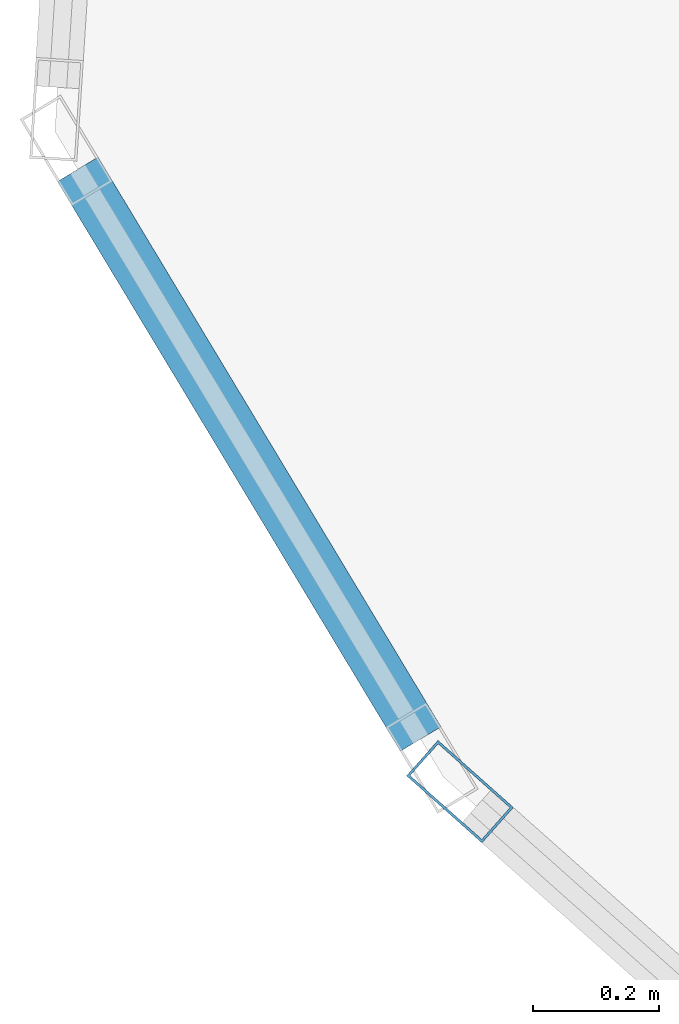
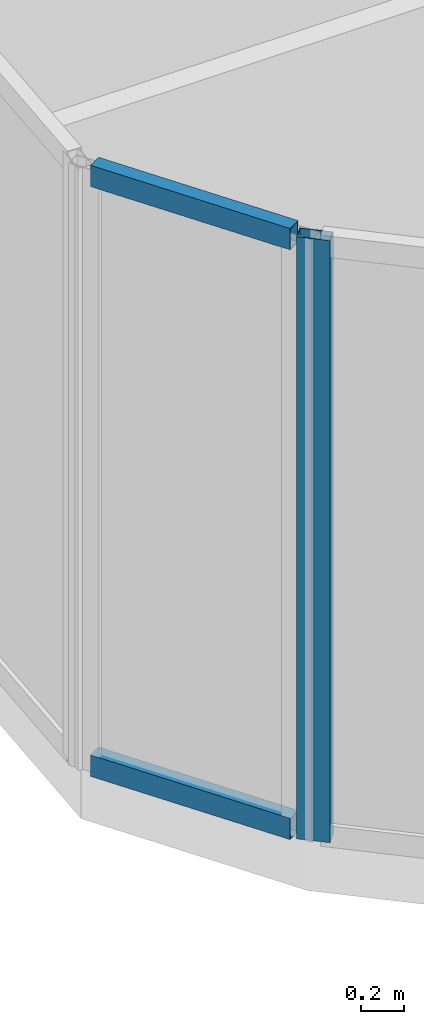
# One storey, part 4 of 27: 3 members, 2 elements without a shape of their own.
"""IFC4 building model written with IfcOpenShell, lengths in metres."""

from ifc_helpers import new_model, si_unit, direction, frame, origin, origin_2d, place, context, subcontext, project, spatial, hollow_rectangle, extrude, material, layer, layer_set, material_profile, profile_set, type_object, element, aggregate, save


model = new_model("IFC4")

# Units and contexts
model_context = context("Model", 3, precision=1e-05, world=origin(), true_north=direction((0.0, 1.0)))
body_context = subcontext(model_context, "Body", "Model", "MODEL_VIEW")
ifc_project = project(units=[si_unit("LENGTHUNIT", "METRE"), si_unit("AREAUNIT", "SQUARE_METRE"), si_unit("VOLUMEUNIT", "CUBIC_METRE"), si_unit("PLANEANGLEUNIT", "RADIAN"), si_unit("MASSUNIT", "GRAM", prefix="KILO")], contexts=[model_context])

# Site, building, storey
site_placement = place(None, origin())
site = spatial("IfcSite", under=ifc_project, at=site_placement, CompositionType="ELEMENT")
building_placement = place(site_placement, origin())
building = spatial("IfcBuilding", under=site, at=building_placement, Name="Keshet Zoharim Tower", CompositionType="ELEMENT")
storey_placement = place(building_placement, frame((0.0, 0.0, 247.300048828125)))
storey = spatial("IfcBuildingStorey", under=building, at=storey_placement, Name="L61", CompositionType="ELEMENT", Elevation=247.300048828125)

# Curtain wall, member
ifc_material = material(Name="Aluminium 6063-T6", Category="aluminium")
ifc_layer = layer(ifc_material, 0.260009765625)
ifc_layer_set = layer_set([ifc_layer], Name="Aluminium 6063-T6")
curtain_wall_type = type_object("IfcCurtainWallType", Name="CW-SYS-06", PredefinedType="NOTDEFINED", material=ifc_layer_set)
curtain_wall_1_placement = place(storey_placement, origin())
curtain_wall_1 = element("IfcCurtainWall", 1, at=curtain_wall_1_placement, inside=storey, type_object=curtain_wall_type, Name="L61 Unitised Curtain Wall 16 Part 3", PredefinedType="NOTDEFINED")
ifc_material_profile_1 = material_profile(ifc_material, hollow_rectangle(XDim=0.074951171875, YDim=0.159912109375, WallThickness=0.00390625, at=origin_2d()), Name="MUL-75x160")
ifc_profile_set_1 = profile_set([ifc_material_profile_1], Name="Aluminium 6063-T6")
member_type_1 = type_object("IfcMemberType", Name="CWM-M15", PredefinedType="MULLION", material=ifc_profile_set_1)
member_1_placement = place(storey_placement, frame((4.061279296875, 21.7568359375, 0.0), z_axis=(0.0, 0.0, 1.0), x_axis=(-0.664363838836, -0.747409318679, 0.0)))
member_1 = element("IfcMember", 2, at=member_1_placement, type_object=member_type_1, Name="CW-06 mullion 2", PredefinedType="MULLION", context=body_context, shape_type="SweptSolid", body=[
    extrude(hollow_rectangle(XDim=0.074951171875, YDim=0.159912109375, WallThickness=0.00390625, at=origin_2d()), origin(), (0.0, 0.0, 1.0), 3.389892578125),
])
aggregate(curtain_wall_1, [member_1])

# Curtain wall, members
curtain_wall_2_placement = place(storey_placement, origin())
curtain_wall_2 = element("IfcCurtainWall", 3, at=curtain_wall_2_placement, inside=storey, type_object=curtain_wall_type, Name="L61 Unitised Curtain Wall 01", PredefinedType="NOTDEFINED")
ifc_material_profile_2 = material_profile(ifc_material, hollow_rectangle(XDim=0.074951171875, YDim=0.1201171875, WallThickness=0.00390625, at=origin_2d()), Name="TRN-75x120")
ifc_profile_set_2 = profile_set([ifc_material_profile_2], Name="Aluminium 6063-T6")
member_type_2 = type_object("IfcMemberType", Name="CWT-T12", PredefinedType="USERDEFINED", material=ifc_profile_set_2)
member_2_placement = place(storey_placement, frame((3.9990234375, 21.840087890625, 0.034912109375), z_axis=(-0.515791194107, 0.856714330499, 0.0), x_axis=(-0.856714330499, -0.515791194107, 0.0)))
member_2 = element("IfcMember", 4, at=member_2_placement, type_object=member_type_2, Name="CW-06 transom 1.1", ObjectType="TRANSOM", PredefinedType="USERDEFINED", context=body_context, shape_type="SweptSolid", body=[
    extrude(hollow_rectangle(XDim=0.074951171875, YDim=0.1201171875, WallThickness=0.00390625, at=origin_2d()), origin(), (0.0, 0.0, 1.0), 1.052734375),
])
member_3_placement = place(storey_placement, frame((3.9990234375, 21.840087890625, 3.35498046875), z_axis=(-0.515791194107, 0.856714330499, 0.0), x_axis=(-0.856714330499, -0.515791194107, 0.0)))
member_3 = element("IfcMember", 5, at=member_3_placement, type_object=member_type_2, Name="CW-06 transom 1.2", ObjectType="TRANSOM", PredefinedType="USERDEFINED", context=body_context, shape_type="SweptSolid", body=[
    extrude(hollow_rectangle(XDim=0.074951171875, YDim=0.1201171875, WallThickness=0.00390625, at=origin_2d()), origin(), (0.0, 0.0, 1.0), 1.052734375),
])
aggregate(curtain_wall_2, [member_2, member_3])

save(model, "model.ifc")
